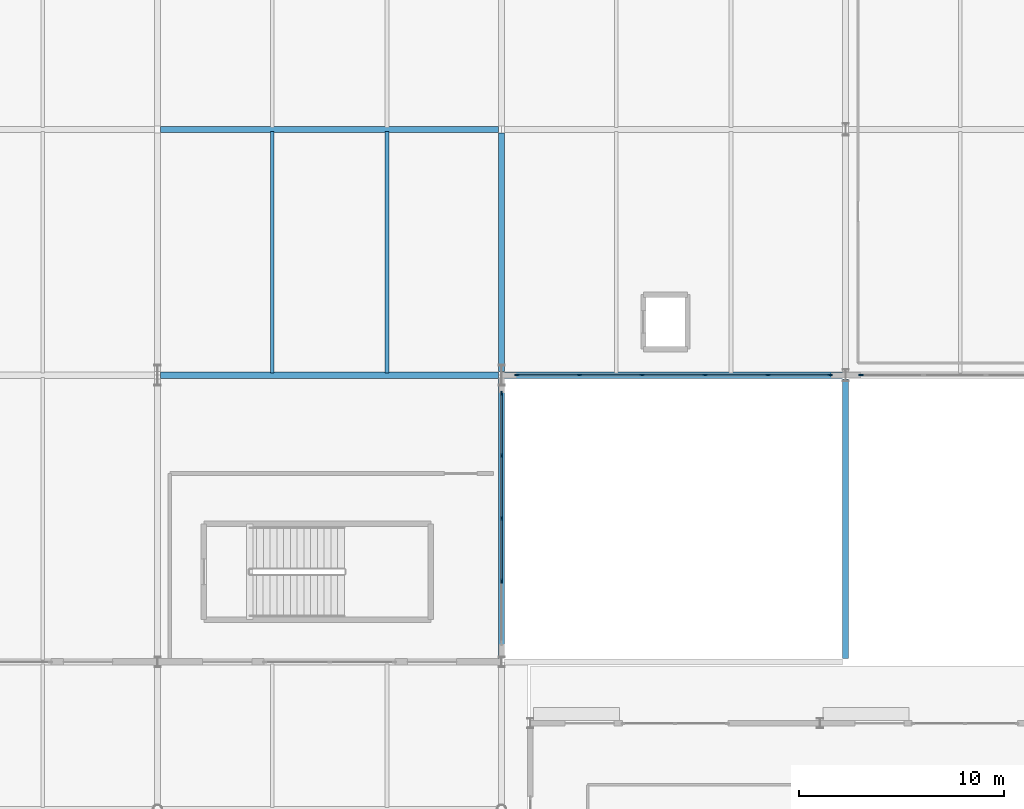
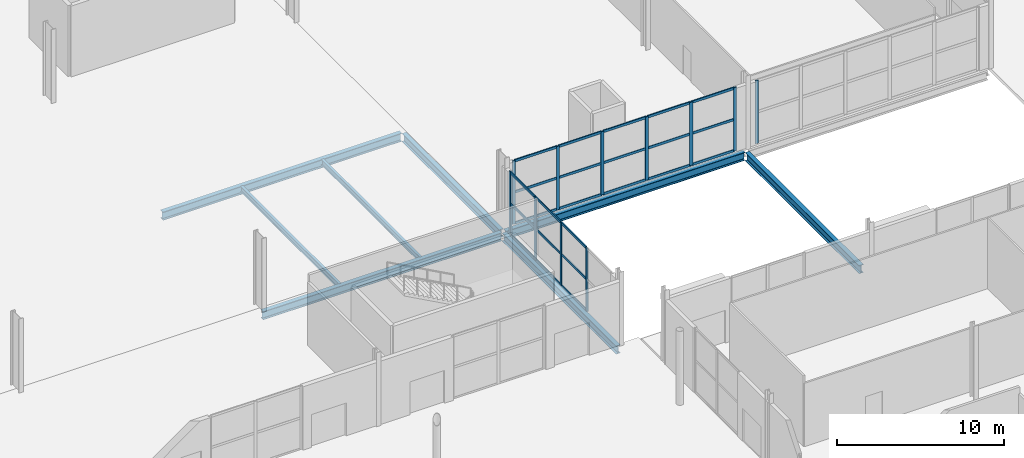
# One storey, part 44 of 87: 35 members, 8 beams, 3 elements without a shape of their own.
"""IFC4 building model written with IfcOpenShell, lengths in metres."""

from ifc_helpers import new_model, si_unit, direction, frame, origin, origin_2d, place, context, subcontext, project, spatial, rectangle, i_section, extrude, material, material_profile, profile_set, type_object, element, aggregate, save


model = new_model("IFC4")

# Units and contexts
model_context = context("Model", 3, precision=1e-05, world=origin(), true_north=direction((0.0, 1.0)))
body_context = subcontext(model_context, "Body", "Model", "MODEL_VIEW")
ifc_project = project(units=[si_unit("LENGTHUNIT", "METRE"), si_unit("AREAUNIT", "SQUARE_METRE"), si_unit("VOLUMEUNIT", "CUBIC_METRE"), si_unit("PLANEANGLEUNIT", "RADIAN"), si_unit("MASSUNIT", "GRAM", prefix="KILO")], contexts=[model_context])

# Site, building, storey
site_placement = place(None, origin())
site = spatial("IfcSite", under=ifc_project, at=site_placement, CompositionType="ELEMENT")
building_placement = place(site_placement, origin())
building = spatial("IfcBuilding", under=site, at=building_placement, Name="Kimbaza Rail Terminus", CompositionType="ELEMENT")
storey_placement = place(building_placement, origin())
storey = spatial("IfcBuildingStorey", under=building, at=storey_placement, Name="L00", CompositionType="ELEMENT", Elevation=0.0)

# Curtain wall, members
ifc_material_1 = material(Name="Anodised aluminium framing and solar low-E glazing", Category="aluminium")
curtain_wall_type = type_object("IfcCurtainWallType", Name="ARC-CW-TH1", PredefinedType="USERDEFINED", material=ifc_material_1)
curtain_wall_1_placement = place(storey_placement, origin())
curtain_wall_1 = element("IfcCurtainWall", 1, at=curtain_wall_1_placement, inside=storey, type_object=curtain_wall_type, Name="Concourse E Return Curtain Wall L00", ObjectType="UNITISED CURTAIN WALL", PredefinedType="USERDEFINED")
ifc_material_2 = material(Name="Anodised architectural aluminium", Category="aluminium")
ifc_material_profile_1 = material_profile(ifc_material_2, rectangle(XDim=0.074951171875, YDim=0.219970703125, at=origin_2d()), Name="MULLION 75x220")
ifc_profile_set_1 = profile_set([ifc_material_profile_1], Name="Anodised architectural aluminium")
member_type_1 = type_object("IfcMemberType", Name="ARC-CWM-01", PredefinedType="MULLION", material=ifc_profile_set_1)
member_1_placement = place(storey_placement, frame((156.0, 44.945068359375, 0.0), z_axis=(0.0, 0.0, 1.0), x_axis=(-1.0, 0.0, 0.0)))
member_1 = element("IfcMember", 2, at=member_1_placement, type_object=member_type_1, Name="CW-01 mullion 2", PredefinedType="MULLION", context=body_context, shape_type="SweptSolid", body=[
    extrude(rectangle(XDim=0.074951171875, YDim=0.219970703125, at=origin_2d()), origin(), (0.0, 0.0, 1.0), 4.625),
])
member_2_placement = place(storey_placement, frame((156.0, 48.010009765625, 0.0), z_axis=(0.0, 0.0, 1.0), x_axis=(-1.0, 0.0, 0.0)))
member_2 = element("IfcMember", 3, at=member_2_placement, type_object=member_type_1, Name="CW-01 mullion 3", PredefinedType="MULLION", context=body_context, shape_type="SweptSolid", body=[
    extrude(rectangle(XDim=0.074951171875, YDim=0.219970703125, at=origin_2d()), origin(), (0.0, 0.0, 1.0), 4.625),
])
member_3_placement = place(storey_placement, frame((156.0, 51.074951171875, 0.0), z_axis=(0.0, 0.0, 1.0), x_axis=(-1.0, 0.0, 0.0)))
member_3 = element("IfcMember", 4, at=member_3_placement, type_object=member_type_1, Name="CW-01 mullion 4", PredefinedType="MULLION", context=body_context, shape_type="SweptSolid", body=[
    extrude(rectangle(XDim=0.074951171875, YDim=0.219970703125, at=origin_2d()), origin(), (0.0, 0.0, 1.0), 4.625),
])
member_4_placement = place(storey_placement, frame((156.0, 54.1025390625, 0.0), z_axis=(0.0, 0.0, 1.0), x_axis=(-1.0, 0.0, 0.0)))
member_4 = element("IfcMember", 5, at=member_4_placement, type_object=member_type_1, Name="CW-01 mullion 5", PredefinedType="MULLION", context=body_context, shape_type="SweptSolid", body=[
    extrude(rectangle(XDim=0.074951171875, YDim=0.219970703125, at=origin_2d()), origin(), (0.0, 0.0, 1.0), 4.625),
])

curtain_wall_2_placement = place(storey_placement, origin())
curtain_wall_2 = element("IfcCurtainWall", 6, at=curtain_wall_2_placement, inside=storey, type_object=curtain_wall_type, Name="Ticket Hall Wing E Curtain Wall L00.1", ObjectType="UNITISED CURTAIN WALL", PredefinedType="USERDEFINED")
member_5_placement = place(storey_placement, frame((156.757568359375, 55.0, 0.0), z_axis=(0.0, 0.0, 1.0), x_axis=(0.0, 1.0, 0.0)))
member_5 = element("IfcMember", 7, at=member_5_placement, type_object=member_type_1, Name="CW-01 mullion 1", PredefinedType="MULLION", context=body_context, shape_type="SweptSolid", body=[
    extrude(rectangle(XDim=0.074951171875, YDim=0.219970703125, at=origin_2d()), origin(), (0.0, 0.0, 1.0), 4.625),
])
member_6_placement = place(storey_placement, frame((159.7919921875, 55.0, 0.0), z_axis=(0.0, 0.0, 1.0), x_axis=(0.0, 1.0, 0.0)))
member_6 = element("IfcMember", 8, at=member_6_placement, type_object=member_type_1, Name="CW-01 mullion 2", PredefinedType="MULLION", context=body_context, shape_type="SweptSolid", body=[
    extrude(rectangle(XDim=0.074951171875, YDim=0.219970703125, at=origin_2d()), origin(), (0.0, 0.0, 1.0), 4.625),
])
member_7_placement = place(storey_placement, frame((162.864013671875, 55.0, 0.0), z_axis=(0.0, 0.0, 1.0), x_axis=(0.0, 1.0, 0.0)))
member_7 = element("IfcMember", 9, at=member_7_placement, type_object=member_type_1, Name="CW-01 mullion 3", PredefinedType="MULLION", context=body_context, shape_type="SweptSolid", body=[
    extrude(rectangle(XDim=0.074951171875, YDim=0.219970703125, at=origin_2d()), origin(), (0.0, 0.0, 1.0), 4.625),
])
member_8_placement = place(storey_placement, frame((165.93603515625, 55.0, 0.0), z_axis=(0.0, 0.0, 1.0), x_axis=(0.0, 1.0, 0.0)))
member_8 = element("IfcMember", 10, at=member_8_placement, type_object=member_type_1, Name="CW-01 mullion 4", PredefinedType="MULLION", context=body_context, shape_type="SweptSolid", body=[
    extrude(rectangle(XDim=0.074951171875, YDim=0.219970703125, at=origin_2d()), origin(), (0.0, 0.0, 1.0), 4.625),
])
member_9_placement = place(storey_placement, frame((169.008056640625, 55.0, 0.0), z_axis=(0.0, 0.0, 1.0), x_axis=(0.0, 1.0, 0.0)))
member_9 = element("IfcMember", 11, at=member_9_placement, type_object=member_type_1, Name="CW-01 mullion 5", PredefinedType="MULLION", context=body_context, shape_type="SweptSolid", body=[
    extrude(rectangle(XDim=0.074951171875, YDim=0.219970703125, at=origin_2d()), origin(), (0.0, 0.0, 1.0), 4.625),
])
member_10_placement = place(storey_placement, frame((172.04248046875, 55.0, 0.0), z_axis=(0.0, 0.0, 1.0), x_axis=(0.0, 1.0, 0.0)))
member_10 = element("IfcMember", 12, at=member_10_placement, type_object=member_type_1, Name="CW-01 mullion 6", PredefinedType="MULLION", context=body_context, shape_type="SweptSolid", body=[
    extrude(rectangle(XDim=0.074951171875, YDim=0.219970703125, at=origin_2d()), origin(), (0.0, 0.0, 1.0), 4.625),
])

# Curtain wall, member
curtain_wall_3_placement = place(storey_placement, origin())
curtain_wall_3 = element("IfcCurtainWall", 13, at=curtain_wall_3_placement, inside=storey, type_object=curtain_wall_type, Name="Ticket Hall Wing E Curtain Wall L00.2", ObjectType="UNITISED CURTAIN WALL", PredefinedType="USERDEFINED")
member_11_placement = place(storey_placement, frame((173.5576171875, 55.0, 0.0), z_axis=(0.0, 0.0, 1.0), x_axis=(0.0, 1.0, 0.0)))
member_11 = element("IfcMember", 14, at=member_11_placement, type_object=member_type_1, Name="CW-01 mullion 1", PredefinedType="MULLION", context=body_context, shape_type="SweptSolid", body=[
    extrude(rectangle(XDim=0.074951171875, YDim=0.219970703125, at=origin_2d()), origin(), (0.0, 0.0, 1.0), 4.625),
])
aggregate(curtain_wall_3, [member_11])

# Member
ifc_material_3 = material(Name="Anodised architectural aluminium", Category="aluminium")
ifc_material_profile_2 = material_profile(ifc_material_3, rectangle(XDim=0.074951171875, YDim=0.179931640625, at=origin_2d()), Name="TRANSOM 75x180")
ifc_profile_set_2 = profile_set([ifc_material_profile_2], Name="Anodised architectural aluminium")
member_type_2 = type_object("IfcMemberType", Name="ARC-CWT-01", PredefinedType="USERDEFINED", material=ifc_profile_set_2)
member_12_placement = place(storey_placement, frame((156.0, 44.982421875, 0.03759765625), z_axis=(0.0, 1.0, 0.0), x_axis=(-1.0, 0.0, 0.0)))
member_12 = element("IfcMember", 15, at=member_12_placement, type_object=member_type_2, Name="CW-01 transom 2.1", ObjectType="TRANSOM", PredefinedType="USERDEFINED", context=body_context, shape_type="SweptSolid", body=[
    extrude(rectangle(XDim=0.074951171875, YDim=0.179931640625, at=origin_2d()), origin(), (0.0, 0.0, 1.0), 2.989990234375),
])

member_13_placement = place(storey_placement, frame((156.0, 44.982421875, 2.3125), z_axis=(0.0, 1.0, 0.0), x_axis=(-1.0, 0.0, 0.0)))
member_13 = element("IfcMember", 16, at=member_13_placement, type_object=member_type_2, Name="CW-01 transom 2.2", ObjectType="TRANSOM", PredefinedType="USERDEFINED", context=body_context, shape_type="SweptSolid", body=[
    extrude(rectangle(XDim=0.074951171875, YDim=0.179931640625, at=origin_2d()), origin(), (0.0, 0.0, 1.0), 2.989990234375),
])

member_14_placement = place(storey_placement, frame((156.0, 44.982421875, 4.58740234375), z_axis=(0.0, 1.0, 0.0), x_axis=(-1.0, 0.0, 0.0)))
member_14 = element("IfcMember", 17, at=member_14_placement, type_object=member_type_2, Name="CW-01 transom 2.3", ObjectType="TRANSOM", PredefinedType="USERDEFINED", context=body_context, shape_type="SweptSolid", body=[
    extrude(rectangle(XDim=0.074951171875, YDim=0.179931640625, at=origin_2d()), origin(), (0.0, 0.0, 1.0), 2.989990234375),
])

member_15_placement = place(storey_placement, frame((156.0, 48.047607421875, 0.03759765625), z_axis=(0.0, 1.0, 0.0), x_axis=(-1.0, 0.0, 0.0)))
member_15 = element("IfcMember", 18, at=member_15_placement, type_object=member_type_2, Name="CW-01 transom 3.1", ObjectType="TRANSOM", PredefinedType="USERDEFINED", context=body_context, shape_type="SweptSolid", body=[
    extrude(rectangle(XDim=0.074951171875, YDim=0.179931640625, at=origin_2d()), origin(), (0.0, 0.0, 1.0), 2.989990234375),
])

member_16_placement = place(storey_placement, frame((156.0, 48.047607421875, 2.3125), z_axis=(0.0, 1.0, 0.0), x_axis=(-1.0, 0.0, 0.0)))
member_16 = element("IfcMember", 19, at=member_16_placement, type_object=member_type_2, Name="CW-01 transom 3.2", ObjectType="TRANSOM", PredefinedType="USERDEFINED", context=body_context, shape_type="SweptSolid", body=[
    extrude(rectangle(XDim=0.074951171875, YDim=0.179931640625, at=origin_2d()), origin(), (0.0, 0.0, 1.0), 2.989990234375),
])

member_17_placement = place(storey_placement, frame((156.0, 48.047607421875, 4.58740234375), z_axis=(0.0, 1.0, 0.0), x_axis=(-1.0, 0.0, 0.0)))
member_17 = element("IfcMember", 20, at=member_17_placement, type_object=member_type_2, Name="CW-01 transom 3.3", ObjectType="TRANSOM", PredefinedType="USERDEFINED", context=body_context, shape_type="SweptSolid", body=[
    extrude(rectangle(XDim=0.074951171875, YDim=0.179931640625, at=origin_2d()), origin(), (0.0, 0.0, 1.0), 2.989990234375),
])

member_18_placement = place(storey_placement, frame((156.0, 51.112548828125, 0.03759765625), z_axis=(0.0, 1.0, 0.0), x_axis=(-1.0, 0.0, 0.0)))
member_18 = element("IfcMember", 21, at=member_18_placement, type_object=member_type_2, Name="CW-01 transom 4.1", ObjectType="TRANSOM", PredefinedType="USERDEFINED", context=body_context, shape_type="SweptSolid", body=[
    extrude(rectangle(XDim=0.074951171875, YDim=0.179931640625, at=origin_2d()), origin(), (0.0, 0.0, 1.0), 2.952392578125),
])

member_19_placement = place(storey_placement, frame((156.0, 51.112548828125, 2.3125), z_axis=(0.0, 1.0, 0.0), x_axis=(-1.0, 0.0, 0.0)))
member_19 = element("IfcMember", 22, at=member_19_placement, type_object=member_type_2, Name="CW-01 transom 4.2", ObjectType="TRANSOM", PredefinedType="USERDEFINED", context=body_context, shape_type="SweptSolid", body=[
    extrude(rectangle(XDim=0.074951171875, YDim=0.179931640625, at=origin_2d()), origin(), (0.0, 0.0, 1.0), 2.952392578125),
])

member_20_placement = place(storey_placement, frame((156.0, 51.112548828125, 4.58740234375), z_axis=(0.0, 1.0, 0.0), x_axis=(-1.0, 0.0, 0.0)))
member_20 = element("IfcMember", 23, at=member_20_placement, type_object=member_type_2, Name="CW-01 transom 4.3", ObjectType="TRANSOM", PredefinedType="USERDEFINED", context=body_context, shape_type="SweptSolid", body=[
    extrude(rectangle(XDim=0.074951171875, YDim=0.179931640625, at=origin_2d()), origin(), (0.0, 0.0, 1.0), 2.952392578125),
])

aggregate(curtain_wall_1, [member_1, member_2, member_3, member_4, member_12, member_13, member_14, member_15, member_16, member_17, member_18, member_19, member_20])

member_21_placement = place(storey_placement, frame((156.794921875, 55.0, 0.03759765625), z_axis=(1.0, 0.0, 0.0), x_axis=(0.0, 1.0, 0.0)))
member_21 = element("IfcMember", 24, at=member_21_placement, type_object=member_type_2, Name="CW-01 transom 1.1", ObjectType="TRANSOM", PredefinedType="USERDEFINED", context=body_context, shape_type="SweptSolid", body=[
    extrude(rectangle(XDim=0.074951171875, YDim=0.179931640625, at=origin_2d()), origin(), (0.0, 0.0, 1.0), 2.95947265625),
])

member_22_placement = place(storey_placement, frame((156.794921875, 55.0, 2.3125), z_axis=(1.0, 0.0, 0.0), x_axis=(0.0, 1.0, 0.0)))
member_22 = element("IfcMember", 25, at=member_22_placement, type_object=member_type_2, Name="CW-01 transom 1.2", ObjectType="TRANSOM", PredefinedType="USERDEFINED", context=body_context, shape_type="SweptSolid", body=[
    extrude(rectangle(XDim=0.074951171875, YDim=0.179931640625, at=origin_2d()), origin(), (0.0, 0.0, 1.0), 2.95947265625),
])

member_23_placement = place(storey_placement, frame((156.794921875, 55.0, 4.58740234375), z_axis=(1.0, 0.0, 0.0), x_axis=(0.0, 1.0, 0.0)))
member_23 = element("IfcMember", 26, at=member_23_placement, type_object=member_type_2, Name="CW-01 transom 1.3", ObjectType="TRANSOM", PredefinedType="USERDEFINED", context=body_context, shape_type="SweptSolid", body=[
    extrude(rectangle(XDim=0.074951171875, YDim=0.179931640625, at=origin_2d()), origin(), (0.0, 0.0, 1.0), 2.95947265625),
])

member_24_placement = place(storey_placement, frame((159.82958984375, 55.0, 0.03759765625), z_axis=(1.0, 0.0, 0.0), x_axis=(0.0, 1.0, 0.0)))
member_24 = element("IfcMember", 27, at=member_24_placement, type_object=member_type_2, Name="CW-01 transom 2.1", ObjectType="TRANSOM", PredefinedType="USERDEFINED", context=body_context, shape_type="SweptSolid", body=[
    extrude(rectangle(XDim=0.074951171875, YDim=0.179931640625, at=origin_2d()), origin(), (0.0, 0.0, 1.0), 2.996826171875),
])

member_25_placement = place(storey_placement, frame((159.82958984375, 55.0, 2.3125), z_axis=(1.0, 0.0, 0.0), x_axis=(0.0, 1.0, 0.0)))
member_25 = element("IfcMember", 28, at=member_25_placement, type_object=member_type_2, Name="CW-01 transom 2.2", ObjectType="TRANSOM", PredefinedType="USERDEFINED", context=body_context, shape_type="SweptSolid", body=[
    extrude(rectangle(XDim=0.074951171875, YDim=0.179931640625, at=origin_2d()), origin(), (0.0, 0.0, 1.0), 2.996826171875),
])

member_26_placement = place(storey_placement, frame((159.82958984375, 55.0, 4.58740234375), z_axis=(1.0, 0.0, 0.0), x_axis=(0.0, 1.0, 0.0)))
member_26 = element("IfcMember", 29, at=member_26_placement, type_object=member_type_2, Name="CW-01 transom 2.3", ObjectType="TRANSOM", PredefinedType="USERDEFINED", context=body_context, shape_type="SweptSolid", body=[
    extrude(rectangle(XDim=0.074951171875, YDim=0.179931640625, at=origin_2d()), origin(), (0.0, 0.0, 1.0), 2.996826171875),
])

member_27_placement = place(storey_placement, frame((162.901611328125, 55.0, 0.03759765625), z_axis=(1.0, 0.0, 0.0), x_axis=(0.0, 1.0, 0.0)))
member_27 = element("IfcMember", 30, at=member_27_placement, type_object=member_type_2, Name="CW-01 transom 3.1", ObjectType="TRANSOM", PredefinedType="USERDEFINED", context=body_context, shape_type="SweptSolid", body=[
    extrude(rectangle(XDim=0.074951171875, YDim=0.179931640625, at=origin_2d()), origin(), (0.0, 0.0, 1.0), 2.996826171875),
])

member_28_placement = place(storey_placement, frame((162.901611328125, 55.0, 2.3125), z_axis=(1.0, 0.0, 0.0), x_axis=(0.0, 1.0, 0.0)))
member_28 = element("IfcMember", 31, at=member_28_placement, type_object=member_type_2, Name="CW-01 transom 3.2", ObjectType="TRANSOM", PredefinedType="USERDEFINED", context=body_context, shape_type="SweptSolid", body=[
    extrude(rectangle(XDim=0.074951171875, YDim=0.179931640625, at=origin_2d()), origin(), (0.0, 0.0, 1.0), 2.996826171875),
])

member_29_placement = place(storey_placement, frame((162.901611328125, 55.0, 4.58740234375), z_axis=(1.0, 0.0, 0.0), x_axis=(0.0, 1.0, 0.0)))
member_29 = element("IfcMember", 32, at=member_29_placement, type_object=member_type_2, Name="CW-01 transom 3.3", ObjectType="TRANSOM", PredefinedType="USERDEFINED", context=body_context, shape_type="SweptSolid", body=[
    extrude(rectangle(XDim=0.074951171875, YDim=0.179931640625, at=origin_2d()), origin(), (0.0, 0.0, 1.0), 2.996826171875),
])

member_30_placement = place(storey_placement, frame((165.973388671875, 55.0, 0.03759765625), z_axis=(1.0, 0.0, 0.0), x_axis=(0.0, 1.0, 0.0)))
member_30 = element("IfcMember", 33, at=member_30_placement, type_object=member_type_2, Name="CW-01 transom 4.1", ObjectType="TRANSOM", PredefinedType="USERDEFINED", context=body_context, shape_type="SweptSolid", body=[
    extrude(rectangle(XDim=0.074951171875, YDim=0.179931640625, at=origin_2d()), origin(), (0.0, 0.0, 1.0), 2.9970703125),
])

member_31_placement = place(storey_placement, frame((165.973388671875, 55.0, 2.3125), z_axis=(1.0, 0.0, 0.0), x_axis=(0.0, 1.0, 0.0)))
member_31 = element("IfcMember", 34, at=member_31_placement, type_object=member_type_2, Name="CW-01 transom 4.2", ObjectType="TRANSOM", PredefinedType="USERDEFINED", context=body_context, shape_type="SweptSolid", body=[
    extrude(rectangle(XDim=0.074951171875, YDim=0.179931640625, at=origin_2d()), origin(), (0.0, 0.0, 1.0), 2.9970703125),
])

member_32_placement = place(storey_placement, frame((165.973388671875, 55.0, 4.58740234375), z_axis=(1.0, 0.0, 0.0), x_axis=(0.0, 1.0, 0.0)))
member_32 = element("IfcMember", 35, at=member_32_placement, type_object=member_type_2, Name="CW-01 transom 4.3", ObjectType="TRANSOM", PredefinedType="USERDEFINED", context=body_context, shape_type="SweptSolid", body=[
    extrude(rectangle(XDim=0.074951171875, YDim=0.179931640625, at=origin_2d()), origin(), (0.0, 0.0, 1.0), 2.9970703125),
])

member_33_placement = place(storey_placement, frame((169.04541015625, 55.0, 0.03759765625), z_axis=(1.0, 0.0, 0.0), x_axis=(0.0, 1.0, 0.0)))
member_33 = element("IfcMember", 36, at=member_33_placement, type_object=member_type_2, Name="CW-01 transom 5.1", ObjectType="TRANSOM", PredefinedType="USERDEFINED", context=body_context, shape_type="SweptSolid", body=[
    extrude(rectangle(XDim=0.074951171875, YDim=0.179931640625, at=origin_2d()), origin(), (0.0, 0.0, 1.0), 2.95947265625),
])

member_34_placement = place(storey_placement, frame((169.04541015625, 55.0, 2.3125), z_axis=(1.0, 0.0, 0.0), x_axis=(0.0, 1.0, 0.0)))
member_34 = element("IfcMember", 37, at=member_34_placement, type_object=member_type_2, Name="CW-01 transom 5.2", ObjectType="TRANSOM", PredefinedType="USERDEFINED", context=body_context, shape_type="SweptSolid", body=[
    extrude(rectangle(XDim=0.074951171875, YDim=0.179931640625, at=origin_2d()), origin(), (0.0, 0.0, 1.0), 2.95947265625),
])

member_35_placement = place(storey_placement, frame((169.04541015625, 55.0, 4.58740234375), z_axis=(1.0, 0.0, 0.0), x_axis=(0.0, 1.0, 0.0)))
member_35 = element("IfcMember", 38, at=member_35_placement, type_object=member_type_2, Name="CW-01 transom 5.3", ObjectType="TRANSOM", PredefinedType="USERDEFINED", context=body_context, shape_type="SweptSolid", body=[
    extrude(rectangle(XDim=0.074951171875, YDim=0.179931640625, at=origin_2d()), origin(), (0.0, 0.0, 1.0), 2.95947265625),
])

aggregate(curtain_wall_2, [member_5, member_6, member_7, member_8, member_9, member_10, member_21, member_22, member_23, member_24, member_25, member_26, member_27, member_28, member_29, member_30, member_31, member_32, member_33, member_34, member_35])

# Beams
ifc_material_4 = material(Name="Steel S355", Category="steel")
ifc_material_profile_3 = material_profile(ifc_material_4, i_section(OverallWidth=0.300048828125, OverallDepth=0.60009765625, WebThickness=0.015380859375, FlangeThickness=0.030029296875, FilletRadius=0.027099609375, at=origin_2d()), Name="HEB 600")
ifc_profile_set_3 = profile_set([ifc_material_profile_3], Name="Steel S355")
beam_type_1 = type_object("IfcBeamType", Name="STR-BM-HEB600", PredefinedType="BEAM", material=ifc_profile_set_3)
beam_1_placement = place(storey_placement, frame((156.0, 41.175048828125, -0.550048828125), z_axis=(0.0, 1.0, 0.0), x_axis=(-1.0, 0.0, 0.0)))
element("IfcBeam", 39, at=beam_1_placement, inside=storey, type_object=beam_type_1, Name="Beam BM-V2Y-L00-6-41", PredefinedType="BEAM", context=body_context, shape_type="SweptSolid", body=[
    extrude(i_section(OverallWidth=0.300048828125, OverallDepth=0.60009765625, WebThickness=0.015380859375, FlangeThickness=0.030029296875, FilletRadius=0.027099609375, at=origin_2d()), origin(), (0.0, 0.0, 1.0), 13.64990234375),
])
beam_2_placement = place(storey_placement, frame((156.0, 55.175048828125, -0.550048828125), z_axis=(0.0, 1.0, 0.0), x_axis=(-1.0, 0.0, 0.0)))
element("IfcBeam", 40, at=beam_2_placement, inside=storey, type_object=beam_type_1, Name="Beam BM-V2Y-L00-6-55", PredefinedType="BEAM", context=body_context, shape_type="SweptSolid", body=[
    extrude(i_section(OverallWidth=0.300048828125, OverallDepth=0.60009765625, WebThickness=0.015380859375, FlangeThickness=0.030029296875, FilletRadius=0.027099609375, at=origin_2d()), origin(), (0.0, 0.0, 1.0), 11.64990234375),
])
beam_3_placement = place(storey_placement, frame((172.800048828125, 41.175048828125, -0.550048828125), z_axis=(0.0, 1.0, 0.0), x_axis=(-1.0, 0.0, 0.0)))
element("IfcBeam", 41, at=beam_3_placement, inside=storey, type_object=beam_type_1, Name="Beam BM-V2Y-L00-7-41", PredefinedType="BEAM", context=body_context, shape_type="SweptSolid", body=[
    extrude(i_section(OverallWidth=0.300048828125, OverallDepth=0.60009765625, WebThickness=0.015380859375, FlangeThickness=0.030029296875, FilletRadius=0.027099609375, at=origin_2d()), origin(), (0.0, 0.0, 1.0), 13.64990234375),
])
for number, where, z_axis, x_axis, name in (
    (42, (139.345947265625, 55.0, -0.550048828125), (1.0, 0.0, 0.0), (0.0, 1.0, 0.0), "Beam BM-V2X-L00-3-6"),
    (43, (156.14599609375, 55.0, -0.550048828125), (1.0, 0.0, 0.0), (0.0, 1.0, 0.0), "Beam BM-V2X-L00-3-7"),
    (44, (139.345947265625, 67.0, -0.550048828125), (1.0, 0.0, 0.0), (0.0, 1.0, 0.0), "Beam BM-V2X-L00-4-6"),
):
    element("IfcBeam", number, at=place(storey_placement, frame(where, z_axis=z_axis, x_axis=x_axis)), inside=storey, type_object=beam_type_1, Name=name, PredefinedType="BEAM", context=body_context, shape_type="SweptSolid", body=[
        extrude(i_section(OverallWidth=0.300048828125, OverallDepth=0.60009765625, WebThickness=0.015380859375, FlangeThickness=0.030029296875, FilletRadius=0.027099609375, at=origin_2d()), origin(), (0.0, 0.0, 1.0), 16.508056640625),
    ])
ifc_material_5 = material(Name="Steel S355", Category="steel")
ifc_material_profile_4 = material_profile(ifc_material_5, i_section(OverallWidth=0.179931640625, OverallDepth=0.39990234375, WebThickness=0.008544921875, FlangeThickness=0.013427734375, FilletRadius=0.02099609375, at=origin_2d()), Name="IPE 400")
ifc_profile_set_4 = profile_set([ifc_material_profile_4], Name="Steel S355")
beam_type_2 = type_object("IfcBeamType", Name="STR-BM-IPE400", PredefinedType="JOIST", material=ifc_profile_set_4)
for number, where, z_axis, x_axis, name in (
    (45, (144.800048828125, 55.10009765625, -0.449951171875), (0.0, 1.0, 0.0), (-1.0, 0.0, 0.0), "Beam JST-V2-L00-6-1-55"),
    (46, (150.39990234375, 55.10009765625, -0.449951171875), (0.0, 1.0, 0.0), (-1.0, 0.0, 0.0), "Beam JST-V2-L00-6-2-55"),
):
    element("IfcBeam", number, at=place(storey_placement, frame(where, z_axis=z_axis, x_axis=x_axis)), inside=storey, type_object=beam_type_2, Name=name, PredefinedType="JOIST", context=body_context, shape_type="SweptSolid", body=[
        extrude(i_section(OverallWidth=0.179931640625, OverallDepth=0.39990234375, WebThickness=0.008544921875, FlangeThickness=0.013427734375, FilletRadius=0.02099609375, at=origin_2d()), origin(), (0.0, 0.0, 1.0), 11.7998046875),
    ])

save(model, "model.ifc")
